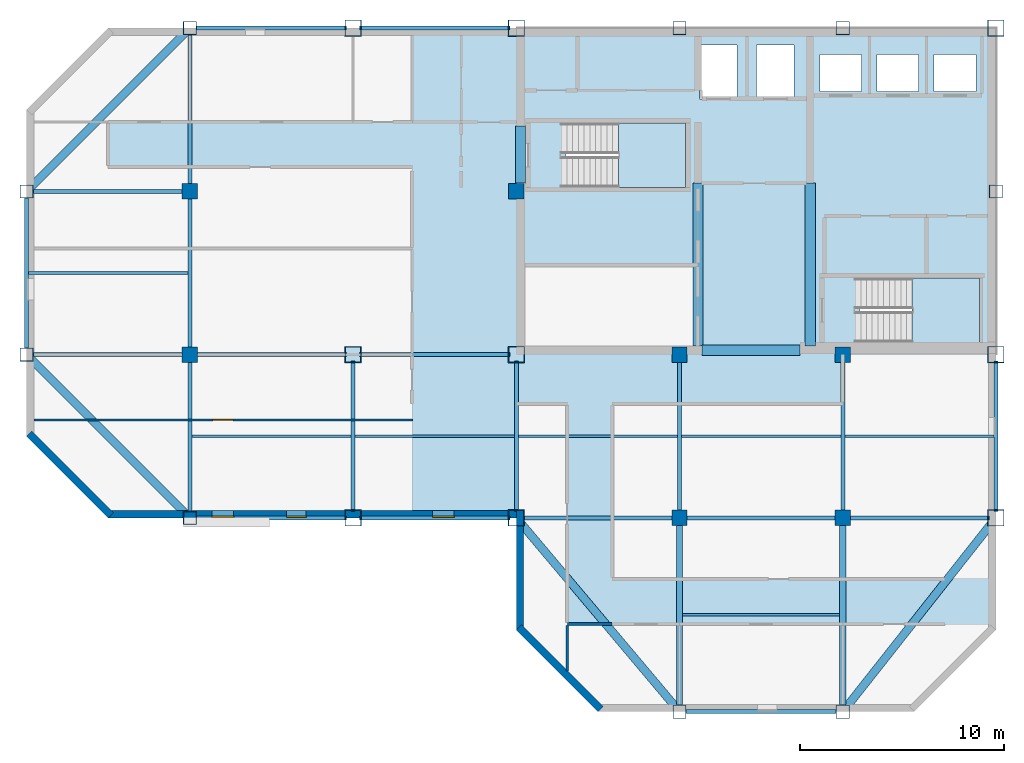
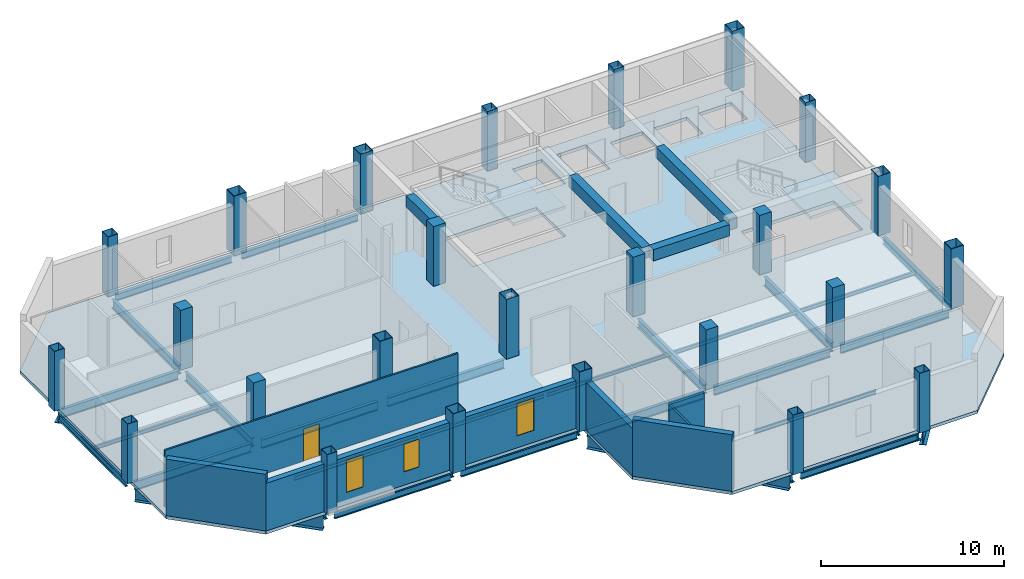
# One storey, part 1 of 7: 38 beams, 25 columns, 7 walls, 3 slabs, 3 windows, 1 door, 4 openings, 2 elements without a shape of their own.
"""IFC4 building model written with IfcOpenShell, lengths in metres."""

from ifc_helpers import new_model, si_unit, direction, frame, frame_2d, origin, origin_2d, place, context, subcontext, project, spatial, polyline, rectangle, hollow_rectangle, i_section, outline, extrude, material, layer, layer_set, material_profile, profile_set, type_object, element, fill, aggregate, save


model = new_model("IFC4")

# Units and contexts
model_context = context("Model", 3, precision=1e-05, world=origin(), true_north=direction((0.0, 1.0)))
body_context = subcontext(model_context, "Body", "Model", "MODEL_VIEW")
ifc_project = project(units=[si_unit("LENGTHUNIT", "METRE"), si_unit("AREAUNIT", "SQUARE_METRE"), si_unit("VOLUMEUNIT", "CUBIC_METRE"), si_unit("PLANEANGLEUNIT", "RADIAN"), si_unit("MASSUNIT", "GRAM", prefix="KILO")], contexts=[model_context])

# Site, building, storey
site_placement = place(None, origin())
site = spatial("IfcSite", under=ifc_project, at=site_placement, CompositionType="ELEMENT")
building_placement = place(site_placement, origin())
building = spatial("IfcBuilding", under=site, at=building_placement, Name="Qianrong Seaharbour Tower", CompositionType="ELEMENT")
storey_placement = place(building_placement, frame((0.0, 0.0, 311.199951171875)))
storey = spatial("IfcBuildingStorey", under=building, at=storey_placement, Name="L75", CompositionType="ELEMENT", Elevation=311.199951171875)

# Columns
ifc_material_1 = material(Name="Structural steel SN490B", Category="steel")
ifc_material_profile_1 = material_profile(ifc_material_1, hollow_rectangle(XDim=0.800048828125, YDim=0.800048828125, WallThickness=0.031982421875, at=origin_2d()), Name="BOX800x800x32")
ifc_profile_set_1 = profile_set([ifc_material_profile_1], Name="Structural steel SN490B")
column_type_1 = type_object("IfcColumnType", Name="COL-CFT-800", PredefinedType="COLUMN", material=ifc_profile_set_1)
for number, where, z_axis, x_axis, name in (
    (1, (32.5, 28.0, 0.0), (0.0, 0.0, 1.0), (1.0, 0.0, 0.0), "L75 Column MC-5 at G5/GE"),
    (2, (32.5, 36.0, 0.0), (0.0, 0.0, 1.0), (1.0, 0.0, 0.0), "L75 Column MC-5 at G5/GF"),
    (3, (32.5, 52.0, 0.0), (0.0, 0.0, 1.0), (1.0, 0.0, 0.0), "L75 Column MC-5 at G5/GH"),
    (4, (40.5, 28.0, 0.0), (0.0, 0.0, 1.0), (1.0, 0.0, 0.0), "L75 Column MC-5 at G6/GE"),
    (5, (40.5, 36.0, 0.0), (0.0, 0.0, 1.0), (1.0, 0.0, 0.0), "L75 Column MC-5 at G6/GF"),
    (6, (40.5, 52.0, 0.0), (0.0, 0.0, 1.0), (1.0, 0.0, 0.0), "L75 Column MC-5 at G6/GH"),
    (7, (64.0, 28.0, 0.0), (0.0, 0.0, 1.0), (1.0, 0.0, 0.0), "L75 Column MC-5 at G9/GE"),
    (8, (64.0, 36.0, 0.0), (0.0, 0.0, 1.0), (1.0, 0.0, 0.0), "L75 Column MC-5 at G9/GF"),
    (9, (64.0, 52.0, 0.0), (0.0, 0.0, 1.0), (1.0, 0.0, 0.0), "L75 Column MC-5 at G9/GH"),
):
    element("IfcColumn", number, at=place(storey_placement, frame(where, z_axis=z_axis, x_axis=x_axis)), inside=storey, type_object=column_type_1, Name=name, PredefinedType="COLUMN", context=body_context, shape_type="SweptSolid", body=[
        extrude(hollow_rectangle(XDim=0.800048828125, YDim=0.800048828125, WallThickness=0.031982421875, at=origin_2d()), origin(), (0.0, 0.0, 1.0), 4.0),
    ])
ifc_material_2 = material(Name="Concrete C50/60", Category="concrete")
ifc_material_profile_2 = material_profile(ifc_material_2, rectangle(XDim=0.75, YDim=0.75, at=origin_2d()), Name="RC750x750")
ifc_profile_set_2 = profile_set([ifc_material_profile_2], Name="Concrete C50/60")
column_type_2 = type_object("IfcColumnType", Name="COL-INT-RC750", PredefinedType="COLUMN", material=ifc_profile_set_2)
for number, where, z_axis, x_axis, name in (
    (10, (24.5, 36.0, 0.0), (0.0, 0.0, 1.0), (1.0, 0.0, 0.0), "L75 Column IC-4 at G4/GF"),
    (11, (24.5, 44.0, 0.0), (0.0, 0.0, 1.0), (1.0, 0.0, 0.0), "L75 Column IC-4 at G4/GG"),
    (12, (40.5, 44.0, 0.0), (0.0, 0.0, 1.0), (1.0, 0.0, 0.0), "L75 Column IC-4 at G6/GG"),
    (13, (48.5, 28.0, 0.0), (0.0, 0.0, 1.0), (1.0, 0.0, 0.0), "L75 Column IC-4 at G7/GE"),
    (14, (48.5, 36.0, 0.0), (0.0, 0.0, 1.0), (1.0, 0.0, 0.0), "L75 Column IC-4 at G7/GF"),
    (15, (56.5, 28.0, 0.0), (0.0, 0.0, 1.0), (1.0, 0.0, 0.0), "L75 Column IC-4 at G8/GE"),
    (16, (56.5, 36.0, 0.0), (0.0, 0.0, 1.0), (1.0, 0.0, 0.0), "L75 Column IC-4 at G8/GF"),
):
    element("IfcColumn", number, at=place(storey_placement, frame(where, z_axis=z_axis, x_axis=x_axis)), inside=storey, type_object=column_type_2, Name=name, PredefinedType="COLUMN", context=body_context, shape_type="SweptSolid", body=[
        extrude(rectangle(XDim=0.75, YDim=0.75, at=origin_2d()), origin(), (0.0, 0.0, 1.0), 4.0),
    ])
ifc_material_3 = material(Name="Structural steel SN400B", Category="steel")
ifc_material_profile_3 = material_profile(ifc_material_3, hollow_rectangle(XDim=0.64990234375, YDim=0.64990234375, WallThickness=0.028076171875, at=origin_2d()), Name="BOX650x650x28")
ifc_profile_set_3 = profile_set([ifc_material_profile_3], Name="Structural steel SN400B")
column_type_3 = type_object("IfcColumnType", Name="COL-PER-650", PredefinedType="COLUMN", material=ifc_profile_set_3)
for number, where, z_axis, x_axis, name in (
    (17, (16.5, 36.0, 0.0), (0.0, 0.0, 1.0), (1.0, 0.0, 0.0), "L75 Column PC-4 at G3/GF"),
    (18, (16.5, 44.0, 0.0), (0.0, 0.0, 1.0), (1.0, 0.0, 0.0), "L75 Column PC-4 at G3/GG"),
    (19, (24.5, 28.0, 0.0), (0.0, 0.0, 1.0), (1.0, 0.0, 0.0), "L75 Column PC-4 at G4/GE"),
    (20, (24.5, 52.0, 0.0), (0.0, 0.0, 1.0), (1.0, 0.0, 0.0), "L75 Column PC-4 at G4/GH"),
    (21, (48.5, 18.5, 0.0), (0.0, 0.0, 1.0), (1.0, 0.0, 0.0), "L75 Column PC-4 at G7/GD"),
    (22, (48.5, 52.0, 0.0), (0.0, 0.0, 1.0), (1.0, 0.0, 0.0), "L75 Column PC-4 at G7/GH"),
    (23, (56.5, 18.5, 0.0), (0.0, 0.0, 1.0), (1.0, 0.0, 0.0), "L75 Column PC-4 at G8/GD"),
    (24, (56.5, 52.0, 0.0), (0.0, 0.0, 1.0), (1.0, 0.0, 0.0), "L75 Column PC-4 at G8/GH"),
    (25, (64.0, 44.0, 0.0), (0.0, 0.0, 1.0), (1.0, 0.0, 0.0), "L75 Column PC-4 at G9/GG"),
):
    element("IfcColumn", number, at=place(storey_placement, frame(where, z_axis=z_axis, x_axis=x_axis)), inside=storey, type_object=column_type_3, Name=name, PredefinedType="COLUMN", context=body_context, shape_type="SweptSolid", body=[
        extrude(hollow_rectangle(XDim=0.64990234375, YDim=0.64990234375, WallThickness=0.028076171875, at=origin_2d()), origin(), (0.0, 0.0, 1.0), 4.0),
    ])

# Beams
ifc_material_profile_4 = material_profile(ifc_material_1, i_section(OverallWidth=0.199951171875, OverallDepth=0.60009765625, WebThickness=0.010986328125, FlangeThickness=0.01708984375, FilletRadius=0.02197265625, at=origin_2d()), Name="H600x200x11x17")
ifc_profile_set_4 = profile_set([ifc_material_profile_4], Name="Structural steel SN490B")
beam_type_1 = type_object("IfcBeamType", Name="BM-G-600", PredefinedType="BEAM", material=ifc_profile_set_4)
for number, where, z_axis, x_axis, name in (
    (26, (40.820068359375, 28.0, -0.514892578125), (1.0, 0.0, 0.0), (0.0, 1.0, 0.0), "L75 Primary Girder GE G6-G7"),
    (27, (48.820068359375, 28.0, -0.514892578125), (1.0, 0.0, 0.0), (0.0, 1.0, 0.0), "L75 Primary Girder GE G7-G8"),
):
    element("IfcBeam", number, at=place(storey_placement, frame(where, z_axis=z_axis, x_axis=x_axis)), inside=storey, type_object=beam_type_1, Name=name, PredefinedType="BEAM", context=body_context, shape_type="SweptSolid", body=[
        extrude(i_section(OverallWidth=0.199951171875, OverallDepth=0.60009765625, WebThickness=0.010986328125, FlangeThickness=0.01708984375, FilletRadius=0.02197265625, at=origin_2d()), origin(), (0.0, 0.0, 1.0), 7.35986328125),
    ])
beam_1_placement = place(storey_placement, frame((56.820068359375, 28.0, -0.514892578125), z_axis=(1.0, 0.0, 0.0), x_axis=(0.0, 1.0, 0.0)))
element("IfcBeam", 28, at=beam_1_placement, inside=storey, type_object=beam_type_1, Name="L75 Primary Girder GE G8-G9", PredefinedType="BEAM", context=body_context, shape_type="SweptSolid", body=[
    extrude(i_section(OverallWidth=0.199951171875, OverallDepth=0.60009765625, WebThickness=0.010986328125, FlangeThickness=0.01708984375, FilletRadius=0.02197265625, at=origin_2d()), origin(), (0.0, 0.0, 1.0), 6.85986328125),
])
for number, where, z_axis, x_axis, name in (
    (29, (16.820068359375, 36.0, -0.514892578125), (1.0, 0.0, 0.0), (0.0, 1.0, 0.0), "L75 Primary Girder GF G3-G4"),
    (30, (24.820068359375, 36.0, -0.514892578125), (1.0, 0.0, 0.0), (0.0, 1.0, 0.0), "L75 Primary Girder GF G4-G5"),
    (31, (32.820068359375, 36.0, -0.514892578125), (1.0, 0.0, 0.0), (0.0, 1.0, 0.0), "L75 Primary Girder GF G5-G6"),
    (32, (16.820068359375, 44.0, -0.514892578125), (1.0, 0.0, 0.0), (0.0, 1.0, 0.0), "L75 Primary Girder GG G3-G4"),
    (33, (24.5, 28.320068359375, -0.514892578125), (0.0, 1.0, 0.0), (-1.0, 0.0, 0.0), "L75 Primary Girder G4 GE-GF"),
    (34, (24.5, 36.320068359375, -0.514892578125), (0.0, 1.0, 0.0), (-1.0, 0.0, 0.0), "L75 Primary Girder G4 GF-GG"),
    (35, (24.5, 44.320068359375, -0.514892578125), (0.0, 1.0, 0.0), (-1.0, 0.0, 0.0), "L75 Primary Girder G4 GG-GH"),
    (36, (32.5, 28.320068359375, -0.514892578125), (0.0, 1.0, 0.0), (-1.0, 0.0, 0.0), "L75 Primary Girder G5 GE-GF"),
    (37, (40.5, 28.320068359375, -0.514892578125), (0.0, 1.0, 0.0), (-1.0, 0.0, 0.0), "L75 Primary Girder G6 GE-GF"),
    (38, (48.5, 28.320068359375, -0.514892578125), (0.0, 1.0, 0.0), (-1.0, 0.0, 0.0), "L75 Primary Girder G7 GE-GF"),
    (39, (56.5, 28.320068359375, -0.514892578125), (0.0, 1.0, 0.0), (-1.0, 0.0, 0.0), "L75 Primary Girder G8 GE-GF"),
):
    element("IfcBeam", number, at=place(storey_placement, frame(where, z_axis=z_axis, x_axis=x_axis)), inside=storey, type_object=beam_type_1, Name=name, PredefinedType="BEAM", context=body_context, shape_type="SweptSolid", body=[
        extrude(i_section(OverallWidth=0.199951171875, OverallDepth=0.60009765625, WebThickness=0.010986328125, FlangeThickness=0.01708984375, FilletRadius=0.02197265625, at=origin_2d()), origin(), (0.0, 0.0, 1.0), 7.35986328125),
    ])
ifc_material_profile_5 = material_profile(ifc_material_1, i_section(OverallWidth=0.300048828125, OverallDepth=0.800048828125, WebThickness=0.013916015625, FlangeThickness=0.02587890625, FilletRadius=0.028076171875, at=origin_2d()), Name="H800x300x14x26")
ifc_profile_set_5 = profile_set([ifc_material_profile_5], Name="Structural steel SN490B")
beam_type_2 = type_object("IfcBeamType", Name="BM-G-800", PredefinedType="BEAM", material=ifc_profile_set_5)
for number, where, z_axis, x_axis, name in (
    (40, (48.5, 18.820068359375, -0.614990234375), (0.0, 1.0, 0.0), (-1.0, 0.0, 0.0), "L75 Primary Girder G7 GD-GE"),
    (41, (56.5, 18.820068359375, -0.614990234375), (0.0, 1.0, 0.0), (-1.0, 0.0, 0.0), "L75 Primary Girder G8 GD-GE"),
):
    element("IfcBeam", number, at=place(storey_placement, frame(where, z_axis=z_axis, x_axis=x_axis)), inside=storey, type_object=beam_type_2, Name=name, PredefinedType="BEAM", context=body_context, shape_type="SweptSolid", body=[
        extrude(i_section(OverallWidth=0.300048828125, OverallDepth=0.800048828125, WebThickness=0.013916015625, FlangeThickness=0.02587890625, FilletRadius=0.028076171875, at=origin_2d()), origin(), (0.0, 0.0, 1.0), 8.85986328125),
    ])
ifc_material_profile_6 = material_profile(ifc_material_3, i_section(OverallWidth=0.125, OverallDepth=0.25, WebThickness=0.006103515625, FlangeThickness=0.009033203125, FilletRadius=0.011962890625, at=origin_2d()), Name="H250x125x6x9")
ifc_profile_set_6 = profile_set([ifc_material_profile_6], Name="Structural steel SN400B")
beam_type_3 = type_object("IfcBeamType", Name="BM-J-250", PredefinedType="JOIST", material=ifc_profile_set_6)
for number, where, z_axis, x_axis, name in (
    (42, (16.60009765625, 40.0, -0.33984375), (1.0, 0.0, 0.0), (0.0, 1.0, 0.0), "L75 Composite Floor Joist G3-G4/GF-GG"),
    (43, (24.60009765625, 32.0, -0.33984375), (1.0, 0.0, 0.0), (0.0, 1.0, 0.0), "L75 Composite Floor Joist G4-G5/GE-GF"),
    (44, (32.60009765625, 32.0, -0.33984375), (1.0, 0.0, 0.0), (0.0, 1.0, 0.0), "L75 Composite Floor Joist G5-G6/GE-GF"),
    (45, (40.60009765625, 32.0, -0.33984375), (1.0, 0.0, 0.0), (0.0, 1.0, 0.0), "L75 Composite Floor Joist G6-G7/GE-GF"),
):
    element("IfcBeam", number, at=place(storey_placement, frame(where, z_axis=z_axis, x_axis=x_axis)), inside=storey, type_object=beam_type_3, Name=name, PredefinedType="JOIST", context=body_context, shape_type="SweptSolid", body=[
        extrude(i_section(OverallWidth=0.125, OverallDepth=0.25, WebThickness=0.006103515625, FlangeThickness=0.009033203125, FilletRadius=0.011962890625, at=origin_2d()), origin(), (0.0, 0.0, 1.0), 7.7998046875),
    ])
beam_2_placement = place(storey_placement, frame((48.64990234375, 23.25, -0.33984375), z_axis=(1.0, 0.0, 0.0), x_axis=(0.0, 1.0, 0.0)))
element("IfcBeam", 46, at=beam_2_placement, inside=storey, type_object=beam_type_3, Name="L75 Composite Floor Joist G7-G8/GD-GE", PredefinedType="JOIST", context=body_context, shape_type="SweptSolid", body=[
    extrude(i_section(OverallWidth=0.125, OverallDepth=0.25, WebThickness=0.006103515625, FlangeThickness=0.009033203125, FilletRadius=0.011962890625, at=origin_2d()), origin(), (0.0, 0.0, 1.0), 7.7001953125),
])
beam_3_placement = place(storey_placement, frame((48.60009765625, 32.0, -0.33984375), z_axis=(1.0, 0.0, 0.0), x_axis=(0.0, 1.0, 0.0)))
element("IfcBeam", 47, at=beam_3_placement, inside=storey, type_object=beam_type_3, Name="L75 Composite Floor Joist G7-G8/GE-GF", PredefinedType="JOIST", context=body_context, shape_type="SweptSolid", body=[
    extrude(i_section(OverallWidth=0.125, OverallDepth=0.25, WebThickness=0.006103515625, FlangeThickness=0.009033203125, FilletRadius=0.011962890625, at=origin_2d()), origin(), (0.0, 0.0, 1.0), 7.7998046875),
])
beam_4_placement = place(storey_placement, frame((56.60009765625, 32.0, -0.33984375), z_axis=(1.0, 0.0, 0.0), x_axis=(0.0, 1.0, 0.0)))
element("IfcBeam", 48, at=beam_4_placement, inside=storey, type_object=beam_type_3, Name="L75 Composite Floor Joist G8-G9/GE-GF", PredefinedType="JOIST", context=body_context, shape_type="SweptSolid", body=[
    extrude(i_section(OverallWidth=0.125, OverallDepth=0.25, WebThickness=0.006103515625, FlangeThickness=0.009033203125, FilletRadius=0.011962890625, at=origin_2d()), origin(), (0.0, 0.0, 1.0), 7.2998046875),
])
ifc_material_4 = material(Name="Concrete C60/75", Category="concrete")
ifc_material_profile_7 = material_profile(ifc_material_4, rectangle(XDim=0.5, YDim=0.75, at=origin_2d()), Name="RC500x750")
ifc_profile_set_7 = profile_set([ifc_material_profile_7], Name="Concrete C60/75")
beam_type_4 = type_object("IfcBeamType", Name="BM-LINTEL-750", PredefinedType="LINTEL", material=ifc_profile_set_7)
beam_5_placement = place(storey_placement, frame((40.7099609375, 44.39990234375, 3.41015625), z_axis=(0.0, 1.0, 0.0), x_axis=(-1.0, 0.0, 0.0)))
element("IfcBeam", 49, at=beam_5_placement, inside=storey, type_object=beam_type_4, Name="L75 Core Coupling Lintel Beam West", PredefinedType="LINTEL", context=body_context, shape_type="SweptSolid", body=[
    extrude(rectangle(XDim=0.5, YDim=0.75, at=origin_2d()), origin(), (0.0, 0.0, 1.0), 2.800048828125),
])
beam_6_placement = place(storey_placement, frame((49.60009765625, 36.2099609375, 3.41015625), z_axis=(1.0, 0.0, 0.0), x_axis=(0.0, 1.0, 0.0)))
element("IfcBeam", 50, at=beam_6_placement, inside=storey, type_object=beam_type_4, Name="L75 Core Coupling Lintel Beam CBC", PredefinedType="LINTEL", context=body_context, shape_type="SweptSolid", body=[
    extrude(rectangle(XDim=0.5, YDim=0.75, at=origin_2d()), origin(), (0.0, 0.0, 1.0), 4.7998046875),
])
for number, where, z_axis, x_axis, name in (
    (51, (49.39990234375, 36.419921875, 3.41015625), (0.0, 1.0, 0.0), (-1.0, 0.0, 0.0), "L75 Internal Core Coupling Beam IW1"),
    (52, (54.89990234375, 36.419921875, 3.41015625), (0.0, 1.0, 0.0), (-1.0, 0.0, 0.0), "L75 Internal Core Coupling Beam IW2"),
):
    element("IfcBeam", number, at=place(storey_placement, frame(where, z_axis=z_axis, x_axis=x_axis)), inside=storey, type_object=beam_type_4, Name=name, PredefinedType="LINTEL", context=body_context, shape_type="SweptSolid", body=[
        extrude(rectangle(XDim=0.5, YDim=0.75, at=origin_2d()), origin(), (0.0, 0.0, 1.0), 7.97998046875),
    ])
ifc_material_profile_8 = material_profile(ifc_material_3, i_section(OverallWidth=0.199951171875, OverallDepth=0.449951171875, WebThickness=0.009033203125, FlangeThickness=0.013916015625, FilletRadius=0.01806640625, at=origin_2d()), Name="H450x200x9x14")
ifc_profile_set_8 = profile_set([ifc_material_profile_8], Name="Structural steel SN400B")
beam_type_5 = type_object("IfcBeamType", Name="BM-SP-450", PredefinedType="SPANDREL", material=ifc_profile_set_8)
for number, where, z_axis, x_axis, name in (
    (53, (48.820068359375, 18.5, -0.43994140625), (1.0, 0.0, 0.0), (0.0, 1.0, 0.0), "L75 Spandrel Girder GD G7-G8"),
    (54, (24.820068359375, 28.0, -0.43994140625), (1.0, 0.0, 0.0), (0.0, 1.0, 0.0), "L75 Spandrel Girder GE G4-G5"),
    (55, (32.820068359375, 28.0, -0.43994140625), (1.0, 0.0, 0.0), (0.0, 1.0, 0.0), "L75 Spandrel Girder GE G5-G6"),
    (56, (24.820068359375, 52.0, -0.43994140625), (1.0, 0.0, 0.0), (0.0, 1.0, 0.0), "L75 Spandrel Girder GH G4-G5"),
    (57, (32.820068359375, 52.0, -0.43994140625), (1.0, 0.0, 0.0), (0.0, 1.0, 0.0), "L75 Spandrel Girder GH G5-G6"),
    (58, (16.5, 36.320068359375, -0.43994140625), (0.0, 1.0, 0.0), (-1.0, 0.0, 0.0), "L75 Spandrel Girder G3 GF-GG"),
    (59, (64.0, 28.320068359375, -0.43994140625), (0.0, 1.0, 0.0), (-1.0, 0.0, 0.0), "L75 Spandrel Girder G9 GE-GF"),
):
    element("IfcBeam", number, at=place(storey_placement, frame(where, z_axis=z_axis, x_axis=x_axis)), inside=storey, type_object=beam_type_5, Name=name, PredefinedType="SPANDREL", context=body_context, shape_type="SweptSolid", body=[
        extrude(i_section(OverallWidth=0.199951171875, OverallDepth=0.449951171875, WebThickness=0.009033203125, FlangeThickness=0.013916015625, FilletRadius=0.01806640625, at=origin_2d()), origin(), (0.0, 0.0, 1.0), 7.35986328125),
    ])
ifc_material_profile_9 = material_profile(ifc_material_1, i_section(OverallWidth=0.39990234375, OverallDepth=1.10009765625, WebThickness=0.02001953125, FlangeThickness=0.035888671875, at=origin_2d()), Name="BH1100x400x20x36")
ifc_profile_set_9 = profile_set([ifc_material_profile_9], Name="Structural steel SN490B")
beam_type_6 = type_object("IfcBeamType", Name="BM-TG-1100", PredefinedType="BEAM", material=ifc_profile_set_9)
for number, where, z_axis, x_axis, name in (
    (60, (24.273681640625, 28.226318359375, -0.764892578125), (-0.707106781187, 0.707106781187, 0.0), (-0.707106781187, -0.707106781187, 0.0), "L75 Chamfer Corner Spandrel Girder G3/GE"),
    (61, (24.273681640625, 51.773681640625, -0.764892578125), (-0.707106781187, -0.707106781187, 0.0), (0.707106781187, -0.707106781187, 0.0), "L75 Chamfer Corner Spandrel Girder G3/GH"),
):
    element("IfcBeam", number, at=place(storey_placement, frame(where, z_axis=z_axis, x_axis=x_axis)), inside=storey, type_object=beam_type_6, Name=name, PredefinedType="BEAM", context=body_context, shape_type="SweptSolid", body=[
        extrude(i_section(OverallWidth=0.39990234375, OverallDepth=1.10009765625, WebThickness=0.02001953125, FlangeThickness=0.035888671875, at=origin_2d()), origin(), (0.0, 0.0, 1.0), 10.673583984375),
    ])
beam_7_placement = place(storey_placement, frame((48.2939453125, 18.744873046875, -0.764892578125), z_axis=(-0.644151063101, 0.764898299061, 0.0), x_axis=(-0.764898299061, -0.644151063101, 0.0)))
element("IfcBeam", 62, at=beam_7_placement, inside=storey, type_object=beam_type_6, Name="L75 Chamfer Corner Spandrel Girder G6/GD", PredefinedType="BEAM", context=body_context, shape_type="SweptSolid", body=[
    extrude(i_section(OverallWidth=0.39990234375, OverallDepth=1.10009765625, WebThickness=0.02001953125, FlangeThickness=0.035888671875, at=origin_2d()), origin(), (0.0, 0.0, 1.0), 11.77978515625),
])
beam_8_placement = place(storey_placement, frame((56.6982421875, 18.751220703125, -0.764892578125), z_axis=(0.619653955715, 0.784875133487, 0.0), x_axis=(-0.784875133487, 0.619653955715, 0.0)))
element("IfcBeam", 63, at=beam_8_placement, inside=storey, type_object=beam_type_6, Name="L75 Chamfer Corner Spandrel Girder G9/GD", PredefinedType="BEAM", context=body_context, shape_type="SweptSolid", body=[
    extrude(i_section(OverallWidth=0.39990234375, OverallDepth=1.10009765625, WebThickness=0.02001953125, FlangeThickness=0.035888671875, at=origin_2d()), origin(), (0.0, 0.0, 1.0), 11.463623046875),
])

# Stair, slab
stair_type = type_object("IfcStairType", Name="STAIR-DOGLEG-1500-R22", PredefinedType="HALF_TURN_STAIR", material=ifc_material_2)
stair_1_placement = place(storey_placement, origin())
stair_1 = element("IfcStair", 64, at=stair_1_placement, inside=storey, type_object=stair_type, Name="L75 Protected Escape Stair ST-1", PredefinedType="HALF_TURN_STAIR")
ifc_layer_1 = layer(ifc_material_2, 0.199951171875)
ifc_layer_set_1 = layer_set([ifc_layer_1], Name="Concrete C50/60")
slab_type_1 = type_object("IfcSlabType", Name="SLAB-STAIR-LANDING-200", PredefinedType="LANDING", material=ifc_layer_set_1)
slab_1_placement = place(storey_placement, frame((0.0, 0.0, 1.800048828125)))
slab_1 = element("IfcSlab", 65, at=slab_1_placement, type_object=slab_type_1, Name="ST-1 landing 1", PredefinedType="LANDING", context=body_context, shape_type="SweptSolid", body=[
    extrude(outline(polyline([(45.5, 44.199951171875), (48.800048828125, 44.199951171875), (48.800048828125, 47.35009765625), (45.5, 47.35009765625), (45.5, 44.199951171875)])), origin(), (0.0, 0.0, 1.0), 0.199951171875),
])
aggregate(stair_1, [slab_1])

stair_2_placement = place(storey_placement, origin())
stair_2 = element("IfcStair", 66, at=stair_2_placement, inside=storey, type_object=stair_type, Name="L75 Protected Escape Stair ST-2", PredefinedType="HALF_TURN_STAIR")
slab_2_placement = place(storey_placement, frame((0.0, 0.0, 1.800048828125)))
slab_2 = element("IfcSlab", 67, at=slab_2_placement, type_object=slab_type_1, Name="ST-2 landing 1", PredefinedType="LANDING", context=body_context, shape_type="SweptSolid", body=[
    extrude(outline(polyline([(59.89990234375, 36.60009765625), (63.199951171875, 36.60009765625), (63.199951171875, 39.75), (59.89990234375, 39.75), (59.89990234375, 36.60009765625)])), origin(), (0.0, 0.0, 1.0), 0.199951171875),
])
aggregate(stair_2, [slab_2])

# Slab
ifc_layer_2 = layer(ifc_material_2, 0.215087890625)
ifc_layer_set_2 = layer_set([ifc_layer_2], Name="Concrete C50/60")
slab_type_2 = type_object("IfcSlabType", Name="SLAB-Z4-215", PredefinedType="FLOOR", material=ifc_layer_set_2)
slab_3_placement = place(storey_placement, frame((0.0, 0.0, -0.21484375)))
element("IfcSlab", 68, at=slab_3_placement, inside=storey, type_object=slab_type_2, Name="L75 Structural Floor Slab", PredefinedType="FLOOR", context=body_context, shape_type="SweptSolid", body=[
    extrude(outline(polyline([(44.5, 18.5), (60.0, 18.5), (64.0, 22.5), (64.0, 52.0), (20.5, 52.0), (16.5, 48.0), (16.5, 32.0), (20.5, 28.0), (40.5, 28.0), (40.5, 22.5), (44.5, 18.5)]), holes=[polyline([(42.93994140625, 44.199951171875), (42.93994140625, 47.35009765625), (48.800048828125, 47.35009765625), (48.800048828125, 44.199951171875), (42.93994140625, 44.199951171875)]), polyline([(57.340087890625, 36.60009765625), (57.340087890625, 39.75), (63.199951171875, 39.75), (63.199951171875, 36.60009765625), (57.340087890625, 36.60009765625)]), polyline([(49.47998046875, 48.530029296875), (49.47998046875, 51.169921875), (51.320068359375, 51.169921875), (51.320068359375, 48.530029296875), (49.47998046875, 48.530029296875)]), polyline([(52.280029296875, 48.530029296875), (52.280029296875, 51.169921875), (54.1201171875, 51.169921875), (54.1201171875, 48.530029296875), (52.280029296875, 48.530029296875)]), polyline([(55.3798828125, 48.89990234375), (55.3798828125, 50.699951171875), (57.419921875, 50.699951171875), (57.419921875, 48.89990234375), (55.3798828125, 48.89990234375)]), polyline([(58.179931640625, 48.89990234375), (58.179931640625, 50.699951171875), (60.219970703125, 50.699951171875), (60.219970703125, 48.89990234375), (58.179931640625, 48.89990234375)]), polyline([(60.97998046875, 48.89990234375), (60.97998046875, 50.699951171875), (63.02001953125, 50.699951171875), (63.02001953125, 48.89990234375), (60.97998046875, 48.89990234375)])]), origin(), (0.0, 0.0, 1.0), 0.21484375),
])

# Walls
ifc_material_5 = material(Name="Fire-rated acoustic gypsum board partition")
ifc_layer_3 = layer(ifc_material_5, 0.1650390625)
ifc_layer_set_3 = layer_set([ifc_layer_3], Name="Fire-rated acoustic gypsum board partition")
wall_type_1 = type_object("IfcWallType", Name="WALL-CORR-PART-165", PredefinedType="PARTITIONING", material=ifc_layer_set_3)
wall_1_placement = place(storey_placement, frame((45.199951171875, 22.800048828125, 0.0), z_axis=(0.0, 0.0, 1.0), x_axis=(-1.0, 0.0, 0.0)))
element("IfcWall", 69, at=wall_1_placement, inside=storey, type_object=wall_type_1, Name="L75 Interior Partition Wall 031", PredefinedType="PARTITIONING", context=body_context, shape_type="SweptSolid", body=[
    extrude(rectangle(XDim=2.199951171875, YDim=0.1650390625, at=frame_2d((1.10009765625, 0.0))), origin(), (0.0, 0.0, 1.0), 3.78515625),
])
ifc_material_6 = material(Name="Demountable aluminium-framed acoustic office partition", Category="aluminium")
ifc_layer_4 = layer(ifc_material_6, 0.110107421875)
ifc_layer_set_4 = layer_set([ifc_layer_4], Name="Demountable aluminium-framed acoustic office partition")
wall_type_2 = type_object("IfcWallType", Name="WALL-DEMOUNT-110", PredefinedType="MOVABLE", material=ifc_layer_set_4)
wall_2_placement = place(storey_placement, frame((43.0, 22.7255859375, 0.0), z_axis=(0.0, 0.0, 1.0), x_axis=(0.0, -1.0, 0.0)))
element("IfcWall", 70, at=wall_2_placement, inside=storey, type_object=wall_type_2, Name="L75 Interior Partition Wall 036", PredefinedType="MOVABLE", context=body_context, shape_type="SweptSolid", body=[
    extrude(rectangle(XDim=2.227783203125, YDim=0.110107421875, at=frame_2d((1.11376953125, 0.0))), origin(), (0.0, 0.0, 1.0), 3.78515625),
])

# Wall, opening, door
wall_3_placement = place(storey_placement, frame((16.85205078125, 32.800048828125, 0.0), z_axis=(0.0, 0.0, 1.0), x_axis=(1.0, 0.0, 0.0)))
wall_3 = element("IfcWall", 71, at=wall_3_placement, inside=storey, type_object=wall_type_2, Name="L75 Interior Partition Wall 040", PredefinedType="MOVABLE", context=body_context, shape_type="SweptSolid", body=[
    extrude(rectangle(XDim=18.5478515625, YDim=0.110107421875, at=frame_2d((9.27392578125, 0.0))), origin(), (0.0, 0.0, 1.0), 3.78515625),
])
opening_1_placement = place(wall_3_placement, frame((8.77392578125, 0.0, 0.0)))
opening_1 = element("IfcOpeningElement", 72, at=opening_1_placement, cuts=wall_3, Name="Opening DO-01", PredefinedType="OPENING", context=body_context, shape_type="SweptSolid", body=[
    extrude(rectangle(XDim=1.0, YDim=2.14990234375, at=frame_2d((0.5, 1.074951171875))), frame((0.0, 0.06494140625, 0.0), z_axis=(0.0, -1.0, 0.0), x_axis=(1.0, 0.0, 0.0)), (0.0, 0.0, 1.0), 0.130126953125),
])
ifc_material_7 = material(Name="Acoustic timber and galvanized steel fire door assembly", Category="steel")
door_type = type_object("IfcDoorType", Name="DOOR-OFFICE-1000x2150", OperationType="NOTDEFINED", PredefinedType="DOOR", material=ifc_material_7)
door_placement = place(opening_1_placement, origin())
door = element("IfcDoor", 73, at=door_placement, inside=storey, type_object=door_type, Name="L75 Harbour Lecture Hall 1 Door", OperationType="SINGLE_SWING_RIGHT", OverallHeight=2.14990234375, OverallWidth=1.0, PredefinedType="DOOR", context=body_context, shape_type="SweptSolid", body=[
    extrude(rectangle(XDim=1.0, YDim=2.14990234375, at=frame_2d((0.5, 1.074951171875))), frame((0.0, 0.02490234375, 0.0), z_axis=(0.0, -1.0, 0.0), x_axis=(1.0, 0.0, 0.0)), (0.0, 0.0, 1.0), 0.050048828125),
])
fill(opening_1, door)

# Wall
ifc_material_8 = material(Name="Unitised red brick on Precast concrete C45/55", Category="masonry")
ifc_layer_5 = layer(ifc_material_8, 0.360107421875)
ifc_layer_set_5 = layer_set([ifc_layer_5], Name="Unitised red brick on Precast concrete C45/55")
wall_type_3 = type_object("IfcWallType", Name="WALL-EXT-BRICK-RED-360", PredefinedType="SOLIDWALL", material=ifc_layer_set_5)
wall_4_placement = place(storey_placement, frame((40.679931640625, 22.5, 0.0), z_axis=(0.0, 0.0, 1.0), x_axis=(0.0, 1.0, 0.0)))
element("IfcWall", 74, at=wall_4_placement, inside=storey, type_object=wall_type_3, Name="L75 Exterior Masonry Facade Wall REENTRANT_WEST", PredefinedType="SOLIDWALL", context=body_context, shape_type="SweptSolid", body=[
    extrude(rectangle(XDim=5.860107421875, YDim=0.360107421875, at=frame_2d((2.93017578125, 0.0))), origin(), (0.0, 0.0, 1.0), 3.18505859375),
])

# Wall, openings, windows
wall_5_placement = place(storey_placement, frame((40.52001953125, 28.179931640625, 0.0), z_axis=(0.0, 0.0, 1.0), x_axis=(-1.0, 0.0, 0.0)))
wall_5 = element("IfcWall", 75, at=wall_5_placement, inside=storey, type_object=wall_type_3, Name="L75 Exterior Masonry Facade Wall HARBOUR_RIBBON", PredefinedType="SOLIDWALL", context=body_context, shape_type="SweptSolid", body=[
    extrude(rectangle(XDim=20.02001953125, YDim=0.360107421875, at=frame_2d((10.010009765625, 0.0))), origin(), (0.0, 0.0, 1.0), 3.18505859375),
])
opening_2_placement = place(wall_5_placement, frame((3.074951171875, 0.0, 0.800048828125)))
opening_2 = element("IfcOpeningElement", 76, at=opening_2_placement, cuts=wall_5, Name="Opening WN-14", PredefinedType="OPENING", context=body_context, shape_type="SweptSolid", body=[
    extrude(rectangle(XDim=1.050048828125, YDim=2.14990234375, at=frame_2d((0.52490234375, 1.074951171875))), frame((0.0, 0.18994140625, 0.0), z_axis=(0.0, -1.0, 0.0), x_axis=(1.0, 0.0, 0.0)), (0.0, 0.0, 1.0), 0.380126953125),
])
opening_3_placement = place(wall_5_placement, frame((10.324951171875, 0.0, 0.89990234375)))
opening_3 = element("IfcOpeningElement", 77, at=opening_3_placement, cuts=wall_5, Name="Opening WN-13", PredefinedType="OPENING", context=body_context, shape_type="SweptSolid", body=[
    extrude(rectangle(XDim=0.949951171875, YDim=1.85009765625, at=frame_2d((0.47509765625, 0.925048828125))), frame((0.0, 0.18994140625, 0.0), z_axis=(0.0, -1.0, 0.0), x_axis=(1.0, 0.0, 0.0)), (0.0, 0.0, 1.0), 0.380126953125),
])
opening_4_placement = place(wall_5_placement, frame((13.875, 0.0, 0.800048828125)))
opening_4 = element("IfcOpeningElement", 78, at=opening_4_placement, cuts=wall_5, Name="Opening WN-14", PredefinedType="OPENING", context=body_context, shape_type="SweptSolid", body=[
    extrude(rectangle(XDim=1.050048828125, YDim=2.14990234375, at=frame_2d((0.52490234375, 1.074951171875))), frame((0.0, 0.18994140625, 0.0), z_axis=(0.0, -1.0, 0.0), x_axis=(1.0, 0.0, 0.0)), (0.0, 0.0, 1.0), 0.380126953125),
])
ifc_material_9 = material(Name="Insulated low-e double glazing in thermally broken aluminium 6063-T6 frame", Category="aluminium")
window_type_1 = type_object("IfcWindowType", Name="WIN-NARROW-1050x2150", PartitioningType="SINGLE_PANEL", PredefinedType="WINDOW", material=ifc_material_9)
window_1_placement = place(opening_2_placement, origin())
window_1 = element("IfcWindow", 79, at=window_1_placement, inside=storey, type_object=window_type_1, Name="L75 Deep-Set Punched Window 01.01", OverallHeight=2.14990234375, OverallWidth=1.050048828125, PartitioningType="SINGLE_PANEL", PredefinedType="WINDOW", context=body_context, shape_type="SweptSolid", body=[
    extrude(rectangle(XDim=1.050048828125, YDim=2.14990234375, at=frame_2d((0.52490234375, 1.074951171875))), frame((0.0, 0.150146484375, 0.0), z_axis=(0.0, -1.0, 0.0), x_axis=(1.0, 0.0, 0.0)), (0.0, 0.0, 1.0), 0.06005859375),
])
fill(opening_2, window_1)
window_2_placement = place(opening_4_placement, origin())
window_2 = element("IfcWindow", 80, at=window_2_placement, inside=storey, type_object=window_type_1, Name="L75 Deep-Set Punched Window 01.04", OverallHeight=2.14990234375, OverallWidth=1.050048828125, PartitioningType="SINGLE_PANEL", PredefinedType="WINDOW", context=body_context, shape_type="SweptSolid", body=[
    extrude(rectangle(XDim=1.050048828125, YDim=2.14990234375, at=frame_2d((0.52490234375, 1.074951171875))), frame((0.0, 0.150146484375, 0.0), z_axis=(0.0, -1.0, 0.0), x_axis=(1.0, 0.0, 0.0)), (0.0, 0.0, 1.0), 0.06005859375),
])
fill(opening_4, window_2)
window_type_2 = type_object("IfcWindowType", Name="WIN-NARROW-950x1850", PartitioningType="SINGLE_PANEL", PredefinedType="WINDOW", material=ifc_material_9)
window_3_placement = place(opening_3_placement, origin())
window_3 = element("IfcWindow", 81, at=window_3_placement, inside=storey, type_object=window_type_2, Name="L75 Deep-Set Punched Window 01.03", OverallHeight=1.85009765625, OverallWidth=0.949951171875, PartitioningType="SINGLE_PANEL", PredefinedType="WINDOW", context=body_context, shape_type="SweptSolid", body=[
    extrude(rectangle(XDim=0.949951171875, YDim=1.85009765625, at=frame_2d((0.47509765625, 0.925048828125))), frame((0.0, 0.150146484375, 0.0), z_axis=(0.0, -1.0, 0.0), x_axis=(1.0, 0.0, 0.0)), (0.0, 0.0, 1.0), 0.06005859375),
])
fill(opening_3, window_3)

# Walls
for number, where, z_axis, x_axis, name in (
    (82, (20.627197265625, 28.127197265625, 0.0), (0.0, 0.0, 1.0), (-0.707106781187, 0.707106781187, 0.0), "L75 Exterior Masonry Facade Wall E02"),
    (83, (44.627197265625, 18.627197265625, 0.0), (0.0, 0.0, 1.0), (-0.707106781187, 0.707106781187, 0.0), "L75 Exterior Masonry Facade Wall E09"),
):
    element("IfcWall", number, at=place(storey_placement, frame(where, z_axis=z_axis, x_axis=x_axis)), inside=storey, type_object=wall_type_3, Name=name, PredefinedType="SOLIDWALL", context=body_context, shape_type="SweptSolid", body=[
        extrude(rectangle(XDim=5.65673828125, YDim=0.360107421875, at=frame_2d((2.828369140625, 0.0))), origin(), (0.0, 0.0, 1.0), 3.78515625),
    ])

save(model, "model.ifc")
